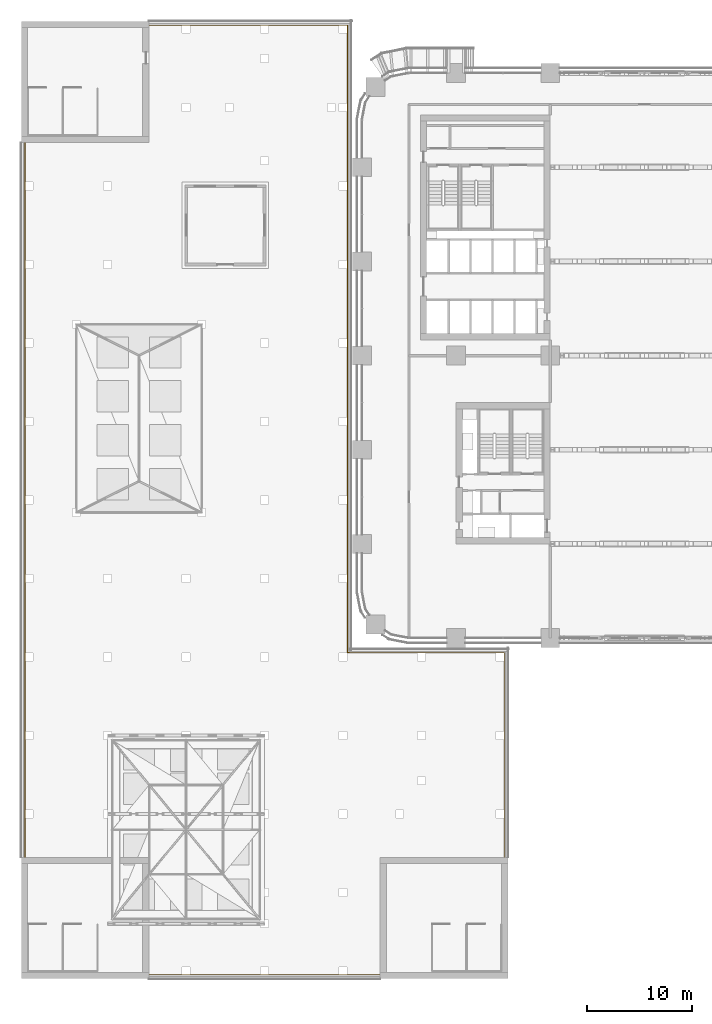
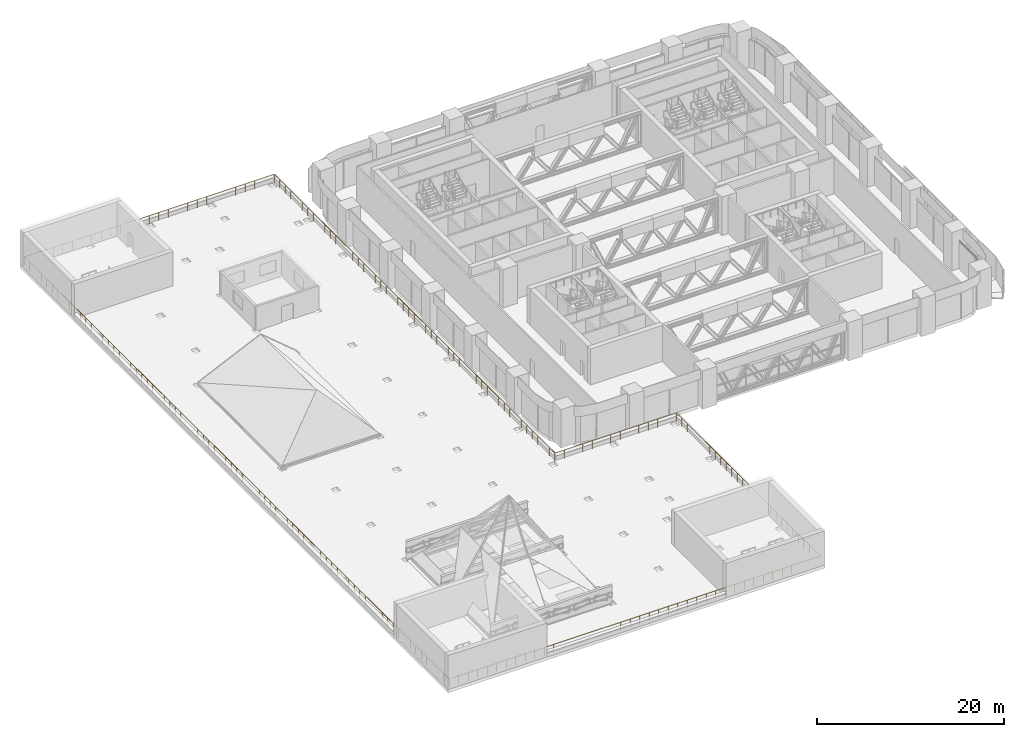
# One storey, part 29 of 35: 1 railing.
"""IFC4 building model written with IfcOpenShell, lengths in metres."""

import ifcopenshell
import ifcopenshell.guid

model = None  # the IFC model being written
_history = None  # IfcOwnerHistory: only IFC2X3 demands one
_inside = {}  # id of a spatial element -> (the spatial element, [elements in it])
_under = {}  # id of a project, library or spatial element -> (it, [spatial elements below it])
_declared = {}  # id of a project -> (the project, [libraries it declares])
_typed = {}  # id of a type object -> (the type object, [elements of that type])
_made_of = {}  # id of a material, layer set ... -> (it, [elements and type objects made of it])


def new_model(schema):
    """Start an empty IFC model of exactly this schema.

    Asked for "IFC4X3", IfcOpenShell would pick the latest addendum, in which some entities
    have other attributes; the version numbers below select the first issue.
    IFC2X3 requires an IfcOwnerHistory on every rooted entity: one is made here for all.
    """
    global model, _history
    if schema == "IFC4X3":
        model = ifcopenshell.file(schema_version=(4, 3, 0, 0))
    else:
        model = ifcopenshell.file(schema=schema)
    _inside.clear()
    _under.clear()
    _declared.clear()
    _typed.clear()
    _made_of.clear()
    _history = None
    if model.schema == "IFC2X3":
        org = make("IfcOrganization", Name="unknown")
        user = make(
            "IfcPersonAndOrganization",
            ThePerson=make("IfcPerson", FamilyName="unknown"),
            TheOrganization=org,
        )
        app = make(
            "IfcApplication",
            ApplicationDeveloper=org,
            Version="unknown",
            ApplicationFullName="unknown",
            ApplicationIdentifier="unknown",
        )
        _history = make(
            "IfcOwnerHistory",
            OwningUser=user,
            OwningApplication=app,
            ChangeAction="ADDED",
            CreationDate=0,
        )
    return model


def make(cls, **values):
    """One entity of the class cls with the attributes given. An attribute that is None is left unset."""
    return model.create_entity(
        cls, **{name: value for name, value in values.items() if value is not None}
    )


def rooted(cls, **values):
    """An entity with a GlobalId (a new one), such as an element, a storey or a relation."""
    return make(cls, GlobalId=ifcopenshell.guid.new(), OwnerHistory=_history, **values)


def si_unit(unit_type, name, prefix=None):
    """IfcSIUnit, for example si_unit("LENGTHUNIT", "METRE", prefix="MILLI")."""
    return make("IfcSIUnit", UnitType=unit_type, Prefix=prefix, Name=name)


def assignment(units):
    """IfcUnitAssignment: the units of a project."""
    return None if units is None else make("IfcUnitAssignment", Units=units)


def point(xyz):
    """IfcCartesianPoint."""
    return None if xyz is None else make("IfcCartesianPoint", Coordinates=xyz)


def direction(xyz):
    """IfcDirection."""
    return None if xyz is None else make("IfcDirection", DirectionRatios=xyz)


def frame(location, z_axis=None, x_axis=None):
    """IfcAxis2Placement3D, a coordinate frame: its origin and axes. An axis left out is left unset."""
    return make(
        "IfcAxis2Placement3D",
        Location=point(location),
        Axis=direction(z_axis),
        RefDirection=direction(x_axis),
    )


def frame_2d(location, x_axis=None):
    """IfcAxis2Placement2D, a coordinate frame in the plane: its origin and x axis."""
    return make(
        "IfcAxis2Placement2D", Location=point(location), RefDirection=direction(x_axis)
    )


def origin():
    """The frame at (0, 0, 0) with its axes left unset."""
    return frame((0.0, 0.0, 0.0))


def origin_2d():
    """The frame at (0, 0) in the plane with its x axis left unset."""
    return frame_2d((0.0, 0.0))


def place(relative_to, where):
    """IfcLocalPlacement: puts the frame where relative to a parent placement (None: the world)."""
    return make(
        "IfcLocalPlacement", PlacementRelTo=relative_to, RelativePlacement=where
    )


def context(
    kind, dimensions, precision=None, world=None, true_north=None, identifier=None
):
    """IfcGeometricRepresentationContext, for example the 3D "Model" context."""
    return make(
        "IfcGeometricRepresentationContext",
        ContextIdentifier=identifier,
        ContextType=kind,
        CoordinateSpaceDimension=dimensions,
        Precision=precision,
        WorldCoordinateSystem=world,
        TrueNorth=true_north,
    )


def subcontext(parent, identifier, kind, view, scale=None):
    """IfcGeometricRepresentationSubContext, for example "Body" below "Model"."""
    return make(
        "IfcGeometricRepresentationSubContext",
        ContextIdentifier=identifier,
        ContextType=kind,
        ParentContext=parent,
        TargetScale=scale,
        TargetView=view,
    )


def project(units=None, contexts=None):
    """IfcProject with its units and contexts."""
    return rooted(
        "IfcProject",
        Name="project",
        RepresentationContexts=contexts,
        UnitsInContext=assignment(units),
    )


def spatial(cls, under=None, at=None, **own):
    """A site, building, storey or space (cls), placed at a placement, below another one or the project."""
    s = rooted(cls, ObjectPlacement=at, **own)
    if under is not None:
        _under.setdefault(under.id(), (under, []))[1].append(s)
    return s


def profile(cls, at=None, kind="AREA", **sizes):
    """A parametric profile (cls). Its sizes go by their IFC names, for example OverallWidth=200.0."""
    return make(cls, ProfileType=kind, Position=at, **sizes)


def circle(**sizes):
    """IfcCircleProfileDef."""
    return profile("IfcCircleProfileDef", **sizes)


def extrude(swept, where, along, depth):
    """IfcExtrudedAreaSolid: the profile swept, set in the frame where, extruded along a direction by depth."""
    return make(
        "IfcExtrudedAreaSolid",
        SweptArea=swept,
        Position=where,
        ExtrudedDirection=direction(along),
        Depth=depth,
    )


def shape(context_of_items, identifier, shape_type, items):
    """IfcShapeRepresentation: the items that make up one representation, for example the "Body"."""
    return make(
        "IfcShapeRepresentation",
        ContextOfItems=context_of_items,
        RepresentationIdentifier=identifier,
        RepresentationType=shape_type,
        Items=items,
    )


def material(Name=None, Category=None):
    """IfcMaterial."""
    return make("IfcMaterial", Name=Name, Category=Category)


def made_of(thing, what):
    """Note that an element or type object is made of a material, layer set ...; save() writes the relation."""
    if what is not None:
        _made_of.setdefault(what.id(), (what, []))[1].append(thing)
    return thing


def type_object(cls, material=None, **own):
    """A type object (cls), such as IfcWallType, which elements share."""
    return made_of(rooted(cls, **own), material)


def element(
    cls,
    number,
    at=None,
    inside=None,
    cuts=None,
    type_object=None,
    material=None,
    context=None,
    identifier="Body",
    shape_type=None,
    held_by="IfcProductDefinitionShape",
    body=None,
    shapes=None,
    **own,
):
    """One element of the class cls, such as IfcWall. Its Tag is "e" and its number.

    at: its placement. inside: the storey or other place that contains it. cuts: it is an
    opening in that element (IfcRelVoidsElement). A single representation is given by context,
    identifier, shape_type and body (its items); several are given by shapes. held_by: the class
    of the entity that holds the representations. save() writes the other relations.
    """
    e = rooted(cls, Tag="e%d" % number, ObjectPlacement=at, **own)
    if body is not None:
        shapes = [shape(context, identifier, shape_type, body)]
    if shapes is not None:
        e.Representation = make(held_by, Representations=shapes)
    if inside is not None:
        _inside.setdefault(inside.id(), (inside, []))[1].append(e)
    if cuts is not None:
        rooted(
            "IfcRelVoidsElement", RelatingBuildingElement=cuts, RelatedOpeningElement=e
        )
    if type_object is not None:
        _typed.setdefault(type_object.id(), (type_object, []))[1].append(e)
    return made_of(e, material)


def aggregate(whole, parts):
    """IfcRelAggregates: a whole, such as a stair, and the parts it consists of."""
    return rooted("IfcRelAggregates", RelatingObject=whole, RelatedObjects=parts)


def save(model, path):
    """Write the relations noted so far, then the file.

    IfcRelAggregates (storeys below a building ...), IfcRelContainedInSpatialStructure (elements
    in a storey), IfcRelDefinesByType, IfcRelAssociatesMaterial and IfcRelDeclares: one each for
    every whole, place, type object, material and project.
    """
    for whole, parts in _under.values():
        aggregate(whole, parts)
    for where, things in _inside.values():
        rooted(
            "IfcRelContainedInSpatialStructure",
            RelatedElements=things,
            RelatingStructure=where,
        )
    for kind, things in _typed.values():
        rooted("IfcRelDefinesByType", RelatedObjects=things, RelatingType=kind)
    for what, things in _made_of.values():
        rooted("IfcRelAssociatesMaterial", RelatedObjects=things, RelatingMaterial=what)
    for by, libraries in _declared.values():
        rooted("IfcRelDeclares", RelatingContext=by, RelatedDefinitions=libraries)
    model.write(path)


model = new_model("IFC4")

# Units and contexts
model_context = context("Model", 3, precision=1e-05, world=origin(), true_north=direction((0.0, 1.0)))
body_context = subcontext(model_context, "Body", "Model", "MODEL_VIEW")
ifc_project = project(units=[si_unit("LENGTHUNIT", "METRE"), si_unit("AREAUNIT", "SQUARE_METRE"), si_unit("VOLUMEUNIT", "CUBIC_METRE"), si_unit("PLANEANGLEUNIT", "RADIAN"), si_unit("MASSUNIT", "GRAM", prefix="KILO")], contexts=[model_context])

# Site, building, storey
site_placement = place(None, origin())
site = spatial("IfcSite", under=ifc_project, at=site_placement, CompositionType="ELEMENT")
building_placement = place(site_placement, origin())
building = spatial("IfcBuilding", under=site, at=building_placement, Name="Tessera Arch", CompositionType="ELEMENT")
storey_placement = place(building_placement, frame((0.0, 0.0, 26.0)))
storey = spatial("IfcBuildingStorey", under=building, at=storey_placement, Name="L04", CompositionType="ELEMENT", Elevation=26.0)

# Railing
ifc_material = material(Name="Stainless steel and clear glass", Category="steel")
railing_type = type_object("IfcRailingType", Name="Museum roof guard 1100", PredefinedType="GUARDRAIL", material=ifc_material)
railing_placement = place(storey_placement, frame((-32.2099609375, -32.2099609375, 0.0)))
element("IfcRailing", 1, at=railing_placement, inside=storey, type_object=railing_type, Name="Museum roof terrace guard", PredefinedType="GUARDRAIL", context=body_context, shape_type="SweptSolid", body=[
    extrude(circle(Radius=0.02490234375, at=origin_2d()), frame((-0.00390625, 0.0, 1.0751953125), z_axis=(1.0, 0.0, 0.0), x_axis=(0.0, 1.0, 0.0)), (0.0, 0.0, 1.0), 45.828125),
    extrude(circle(Radius=0.02490234375, at=origin_2d()), frame((45.820068359375, -0.00390625, 1.0751953125), z_axis=(0.0, 1.0, 0.0), x_axis=(-1.0, 0.0, 0.0)), (0.0, 0.0, 1.0), 30.828125),
    extrude(circle(Radius=0.02490234375, at=origin_2d()), frame((45.823974609375, 30.820068359375, 1.0751953125), z_axis=(-1.0, 0.0, 0.0), x_axis=(0.0, -1.0, 0.0)), (0.0, 0.0, 1.0), 15.008056640625),
    extrude(circle(Radius=0.02490234375, at=origin_2d()), frame((30.820068359375, 30.816162109375, 1.0751953125), z_axis=(0.0, 1.0, 0.0), x_axis=(-1.0, 0.0, 0.0)), (0.0, 0.0, 1.0), 60.008056640625),
    extrude(circle(Radius=0.02490234375, at=origin_2d()), frame((30.823974609375, 90.820068359375, 1.0751953125), z_axis=(-1.0, 0.0, 0.0), x_axis=(0.0, -1.0, 0.0)), (0.0, 0.0, 1.0), 30.828125),
    extrude(circle(Radius=0.02490234375, at=origin_2d()), frame((0.0, 90.823974609375, 1.0751953125), z_axis=(0.0, -1.0, 0.0), x_axis=(1.0, 0.0, 0.0)), (0.0, 0.0, 1.0), 90.828125),
    extrude(circle(Radius=0.02001953125, at=origin_2d()), origin(), (0.0, 0.0, 1.0), 1.06201171875),
    extrude(circle(Radius=0.02001953125, at=origin_2d()), frame((1.1748046875, 0.0, 0.0)), (0.0, 0.0, 1.0), 1.06201171875),
    extrude(circle(Radius=0.02001953125, at=origin_2d()), frame((2.349853515625, 0.0, 0.0)), (0.0, 0.0, 1.0), 1.06201171875),
    extrude(circle(Radius=0.02001953125, at=origin_2d()), frame((3.524658203125, 0.0, 0.0)), (0.0, 0.0, 1.0), 1.06201171875),
    extrude(circle(Radius=0.02001953125, at=origin_2d()), frame((4.699462890625, 0.0, 0.0)), (0.0, 0.0, 1.0), 1.06201171875),
    extrude(circle(Radius=0.02001953125, at=origin_2d()), frame((5.874267578125, 0.0, 0.0)), (0.0, 0.0, 1.0), 1.06201171875),
    extrude(circle(Radius=0.02001953125, at=origin_2d()), frame((7.04931640625, 0.0, 0.0)), (0.0, 0.0, 1.0), 1.06201171875),
    extrude(circle(Radius=0.02001953125, at=origin_2d()), frame((8.22412109375, 0.0, 0.0)), (0.0, 0.0, 1.0), 1.06201171875),
    extrude(circle(Radius=0.02001953125, at=origin_2d()), frame((9.39892578125, 0.0, 0.0)), (0.0, 0.0, 1.0), 1.06201171875),
    extrude(circle(Radius=0.02001953125, at=origin_2d()), frame((10.573974609375, 0.0, 0.0)), (0.0, 0.0, 1.0), 1.06201171875),
    extrude(circle(Radius=0.02001953125, at=origin_2d()), frame((11.748779296875, 0.0, 0.0)), (0.0, 0.0, 1.0), 1.06201171875),
    extrude(circle(Radius=0.02001953125, at=origin_2d()), frame((12.923583984375, 0.0, 0.0)), (0.0, 0.0, 1.0), 1.06201171875),
    extrude(circle(Radius=0.02001953125, at=origin_2d()), frame((14.098388671875, 0.0, 0.0)), (0.0, 0.0, 1.0), 1.06201171875),
    extrude(circle(Radius=0.02001953125, at=origin_2d()), frame((15.2734375, 0.0, 0.0)), (0.0, 0.0, 1.0), 1.06201171875),
    extrude(circle(Radius=0.02001953125, at=origin_2d()), frame((16.4482421875, 0.0, 0.0)), (0.0, 0.0, 1.0), 1.06201171875),
    extrude(circle(Radius=0.02001953125, at=origin_2d()), frame((17.623046875, 0.0, 0.0)), (0.0, 0.0, 1.0), 1.06201171875),
    extrude(circle(Radius=0.02001953125, at=origin_2d()), frame((18.798095703125, 0.0, 0.0)), (0.0, 0.0, 1.0), 1.06201171875),
    extrude(circle(Radius=0.02001953125, at=origin_2d()), frame((19.972900390625, 0.0, 0.0)), (0.0, 0.0, 1.0), 1.06201171875),
    extrude(circle(Radius=0.02001953125, at=origin_2d()), frame((21.147705078125, 0.0, 0.0)), (0.0, 0.0, 1.0), 1.06201171875),
    extrude(circle(Radius=0.02001953125, at=origin_2d()), frame((22.322509765625, 0.0, 0.0)), (0.0, 0.0, 1.0), 1.06201171875),
    extrude(circle(Radius=0.02001953125, at=origin_2d()), frame((23.49755859375, 0.0, 0.0)), (0.0, 0.0, 1.0), 1.06201171875),
    extrude(circle(Radius=0.02001953125, at=origin_2d()), frame((24.67236328125, 0.0, 0.0)), (0.0, 0.0, 1.0), 1.06201171875),
    extrude(circle(Radius=0.02001953125, at=origin_2d()), frame((25.84716796875, 0.0, 0.0)), (0.0, 0.0, 1.0), 1.06201171875),
    extrude(circle(Radius=0.02001953125, at=origin_2d()), frame((27.02197265625, 0.0, 0.0)), (0.0, 0.0, 1.0), 1.06201171875),
    extrude(circle(Radius=0.02001953125, at=origin_2d()), frame((28.197021484375, 0.0, 0.0)), (0.0, 0.0, 1.0), 1.06201171875),
    extrude(circle(Radius=0.02001953125, at=origin_2d()), frame((29.371826171875, 0.0, 0.0)), (0.0, 0.0, 1.0), 1.06201171875),
    extrude(circle(Radius=0.02001953125, at=origin_2d()), frame((30.546630859375, 0.0, 0.0)), (0.0, 0.0, 1.0), 1.06201171875),
    extrude(circle(Radius=0.02001953125, at=origin_2d()), frame((31.7216796875, 0.0, 0.0)), (0.0, 0.0, 1.0), 1.06201171875),
    extrude(circle(Radius=0.02001953125, at=origin_2d()), frame((32.896484375, 0.0, 0.0)), (0.0, 0.0, 1.0), 1.06201171875),
    extrude(circle(Radius=0.02001953125, at=origin_2d()), frame((34.0712890625, 0.0, 0.0)), (0.0, 0.0, 1.0), 1.06201171875),
    extrude(circle(Radius=0.02001953125, at=origin_2d()), frame((35.24609375, 0.0, 0.0)), (0.0, 0.0, 1.0), 1.06201171875),
    extrude(circle(Radius=0.02001953125, at=origin_2d()), frame((36.421142578125, 0.0, 0.0)), (0.0, 0.0, 1.0), 1.06201171875),
    extrude(circle(Radius=0.02001953125, at=origin_2d()), frame((37.595947265625, 0.0, 0.0)), (0.0, 0.0, 1.0), 1.06201171875),
    extrude(circle(Radius=0.02001953125, at=origin_2d()), frame((38.770751953125, 0.0, 0.0)), (0.0, 0.0, 1.0), 1.06201171875),
    extrude(circle(Radius=0.02001953125, at=origin_2d()), frame((39.94580078125, 0.0, 0.0)), (0.0, 0.0, 1.0), 1.06201171875),
    extrude(circle(Radius=0.02001953125, at=origin_2d()), frame((41.12060546875, 0.0, 0.0)), (0.0, 0.0, 1.0), 1.06201171875),
    extrude(circle(Radius=0.02001953125, at=origin_2d()), frame((42.29541015625, 0.0, 0.0)), (0.0, 0.0, 1.0), 1.06201171875),
    extrude(circle(Radius=0.02001953125, at=origin_2d()), frame((43.47021484375, 0.0, 0.0)), (0.0, 0.0, 1.0), 1.06201171875),
    extrude(circle(Radius=0.02001953125, at=origin_2d()), frame((44.645263671875, 0.0, 0.0)), (0.0, 0.0, 1.0), 1.06201171875),
    extrude(circle(Radius=0.02001953125, at=origin_2d()), frame((45.820068359375, 0.0, 0.0)), (0.0, 0.0, 1.0), 1.06201171875),
    extrude(circle(Radius=0.02001953125, at=origin_2d()), frame((45.820068359375, 1.185302734375, 0.0)), (0.0, 0.0, 1.0), 1.06201171875),
    extrude(circle(Radius=0.02001953125, at=origin_2d()), frame((45.820068359375, 2.370849609375, 0.0)), (0.0, 0.0, 1.0), 1.06201171875),
    extrude(circle(Radius=0.02001953125, at=origin_2d()), frame((45.820068359375, 3.55615234375, 0.0)), (0.0, 0.0, 1.0), 1.06201171875),
    extrude(circle(Radius=0.02001953125, at=origin_2d()), frame((45.820068359375, 4.741455078125, 0.0)), (0.0, 0.0, 1.0), 1.06201171875),
    extrude(circle(Radius=0.02001953125, at=origin_2d()), frame((45.820068359375, 5.927001953125, 0.0)), (0.0, 0.0, 1.0), 1.06201171875),
    extrude(circle(Radius=0.02001953125, at=origin_2d()), frame((45.820068359375, 7.1123046875, 0.0)), (0.0, 0.0, 1.0), 1.06201171875),
    extrude(circle(Radius=0.02001953125, at=origin_2d()), frame((45.820068359375, 8.297607421875, 0.0)), (0.0, 0.0, 1.0), 1.06201171875),
    extrude(circle(Radius=0.02001953125, at=origin_2d()), frame((45.820068359375, 9.483154296875, 0.0)), (0.0, 0.0, 1.0), 1.06201171875),
    extrude(circle(Radius=0.02001953125, at=origin_2d()), frame((45.820068359375, 10.66845703125, 0.0)), (0.0, 0.0, 1.0), 1.06201171875),
    extrude(circle(Radius=0.02001953125, at=origin_2d()), frame((45.820068359375, 11.853759765625, 0.0)), (0.0, 0.0, 1.0), 1.06201171875),
    extrude(circle(Radius=0.02001953125, at=origin_2d()), frame((45.820068359375, 13.039306640625, 0.0)), (0.0, 0.0, 1.0), 1.06201171875),
    extrude(circle(Radius=0.02001953125, at=origin_2d()), frame((45.820068359375, 14.224609375, 0.0)), (0.0, 0.0, 1.0), 1.06201171875),
    extrude(circle(Radius=0.02001953125, at=origin_2d()), frame((45.820068359375, 15.41015625, 0.0)), (0.0, 0.0, 1.0), 1.06201171875),
    extrude(circle(Radius=0.02001953125, at=origin_2d()), frame((45.820068359375, 16.595458984375, 0.0)), (0.0, 0.0, 1.0), 1.06201171875),
    extrude(circle(Radius=0.02001953125, at=origin_2d()), frame((45.820068359375, 17.78076171875, 0.0)), (0.0, 0.0, 1.0), 1.06201171875),
    extrude(circle(Radius=0.02001953125, at=origin_2d()), frame((45.820068359375, 18.96630859375, 0.0)), (0.0, 0.0, 1.0), 1.06201171875),
    extrude(circle(Radius=0.02001953125, at=origin_2d()), frame((45.820068359375, 20.151611328125, 0.0)), (0.0, 0.0, 1.0), 1.06201171875),
    extrude(circle(Radius=0.02001953125, at=origin_2d()), frame((45.820068359375, 21.3369140625, 0.0)), (0.0, 0.0, 1.0), 1.06201171875),
    extrude(circle(Radius=0.02001953125, at=origin_2d()), frame((45.820068359375, 22.5224609375, 0.0)), (0.0, 0.0, 1.0), 1.06201171875),
    extrude(circle(Radius=0.02001953125, at=origin_2d()), frame((45.820068359375, 23.707763671875, 0.0)), (0.0, 0.0, 1.0), 1.06201171875),
    extrude(circle(Radius=0.02001953125, at=origin_2d()), frame((45.820068359375, 24.89306640625, 0.0)), (0.0, 0.0, 1.0), 1.06201171875),
    extrude(circle(Radius=0.02001953125, at=origin_2d()), frame((45.820068359375, 26.07861328125, 0.0)), (0.0, 0.0, 1.0), 1.06201171875),
    extrude(circle(Radius=0.02001953125, at=origin_2d()), frame((45.820068359375, 27.263916015625, 0.0)), (0.0, 0.0, 1.0), 1.06201171875),
    extrude(circle(Radius=0.02001953125, at=origin_2d()), frame((45.820068359375, 28.44921875, 0.0)), (0.0, 0.0, 1.0), 1.06201171875),
    extrude(circle(Radius=0.02001953125, at=origin_2d()), frame((45.820068359375, 29.634765625, 0.0)), (0.0, 0.0, 1.0), 1.06201171875),
    extrude(circle(Radius=0.02001953125, at=origin_2d()), frame((45.820068359375, 30.820068359375, 0.0)), (0.0, 0.0, 1.0), 1.06201171875),
    extrude(circle(Radius=0.02001953125, at=origin_2d()), frame((44.666259765625, 30.820068359375, 0.0)), (0.0, 0.0, 1.0), 1.06201171875),
    extrude(circle(Radius=0.02001953125, at=origin_2d()), frame((43.512451171875, 30.820068359375, 0.0)), (0.0, 0.0, 1.0), 1.06201171875),
    extrude(circle(Radius=0.02001953125, at=origin_2d()), frame((42.358642578125, 30.820068359375, 0.0)), (0.0, 0.0, 1.0), 1.06201171875),
    extrude(circle(Radius=0.02001953125, at=origin_2d()), frame((41.20458984375, 30.820068359375, 0.0)), (0.0, 0.0, 1.0), 1.06201171875),
    extrude(circle(Radius=0.02001953125, at=origin_2d()), frame((40.05078125, 30.820068359375, 0.0)), (0.0, 0.0, 1.0), 1.06201171875),
    extrude(circle(Radius=0.02001953125, at=origin_2d()), frame((38.89697265625, 30.820068359375, 0.0)), (0.0, 0.0, 1.0), 1.06201171875),
    extrude(circle(Radius=0.02001953125, at=origin_2d()), frame((37.7431640625, 30.820068359375, 0.0)), (0.0, 0.0, 1.0), 1.06201171875),
    extrude(circle(Radius=0.02001953125, at=origin_2d()), frame((36.58935546875, 30.820068359375, 0.0)), (0.0, 0.0, 1.0), 1.06201171875),
    extrude(circle(Radius=0.02001953125, at=origin_2d()), frame((35.435546875, 30.820068359375, 0.0)), (0.0, 0.0, 1.0), 1.06201171875),
    extrude(circle(Radius=0.02001953125, at=origin_2d()), frame((34.281494140625, 30.820068359375, 0.0)), (0.0, 0.0, 1.0), 1.06201171875),
    extrude(circle(Radius=0.02001953125, at=origin_2d()), frame((33.127685546875, 30.820068359375, 0.0)), (0.0, 0.0, 1.0), 1.06201171875),
    extrude(circle(Radius=0.02001953125, at=origin_2d()), frame((31.973876953125, 30.820068359375, 0.0)), (0.0, 0.0, 1.0), 1.06201171875),
    extrude(circle(Radius=0.02001953125, at=origin_2d()), frame((30.820068359375, 30.820068359375, 0.0)), (0.0, 0.0, 1.0), 1.06201171875),
    extrude(circle(Radius=0.02001953125, at=origin_2d()), frame((30.820068359375, 32.02001953125, 0.0)), (0.0, 0.0, 1.0), 1.06201171875),
    extrude(circle(Radius=0.02001953125, at=origin_2d()), frame((30.820068359375, 33.219970703125, 0.0)), (0.0, 0.0, 1.0), 1.06201171875),
    extrude(circle(Radius=0.02001953125, at=origin_2d()), frame((30.820068359375, 34.420166015625, 0.0)), (0.0, 0.0, 1.0), 1.06201171875),
    extrude(circle(Radius=0.02001953125, at=origin_2d()), frame((30.820068359375, 35.6201171875, 0.0)), (0.0, 0.0, 1.0), 1.06201171875),
    extrude(circle(Radius=0.02001953125, at=origin_2d()), frame((30.820068359375, 36.820068359375, 0.0)), (0.0, 0.0, 1.0), 1.06201171875),
    extrude(circle(Radius=0.02001953125, at=origin_2d()), frame((30.820068359375, 38.02001953125, 0.0)), (0.0, 0.0, 1.0), 1.06201171875),
    extrude(circle(Radius=0.02001953125, at=origin_2d()), frame((30.820068359375, 39.219970703125, 0.0)), (0.0, 0.0, 1.0), 1.06201171875),
    extrude(circle(Radius=0.02001953125, at=origin_2d()), frame((30.820068359375, 40.420166015625, 0.0)), (0.0, 0.0, 1.0), 1.06201171875),
    extrude(circle(Radius=0.02001953125, at=origin_2d()), frame((30.820068359375, 41.6201171875, 0.0)), (0.0, 0.0, 1.0), 1.06201171875),
    extrude(circle(Radius=0.02001953125, at=origin_2d()), frame((30.820068359375, 42.820068359375, 0.0)), (0.0, 0.0, 1.0), 1.06201171875),
    extrude(circle(Radius=0.02001953125, at=origin_2d()), frame((30.820068359375, 44.02001953125, 0.0)), (0.0, 0.0, 1.0), 1.06201171875),
    extrude(circle(Radius=0.02001953125, at=origin_2d()), frame((30.820068359375, 45.219970703125, 0.0)), (0.0, 0.0, 1.0), 1.06201171875),
    extrude(circle(Radius=0.02001953125, at=origin_2d()), frame((30.820068359375, 46.420166015625, 0.0)), (0.0, 0.0, 1.0), 1.06201171875),
    extrude(circle(Radius=0.02001953125, at=origin_2d()), frame((30.820068359375, 47.6201171875, 0.0)), (0.0, 0.0, 1.0), 1.06201171875),
    extrude(circle(Radius=0.02001953125, at=origin_2d()), frame((30.820068359375, 48.820068359375, 0.0)), (0.0, 0.0, 1.0), 1.06201171875),
    extrude(circle(Radius=0.02001953125, at=origin_2d()), frame((30.820068359375, 50.02001953125, 0.0)), (0.0, 0.0, 1.0), 1.06201171875),
    extrude(circle(Radius=0.02001953125, at=origin_2d()), frame((30.820068359375, 51.219970703125, 0.0)), (0.0, 0.0, 1.0), 1.06201171875),
    extrude(circle(Radius=0.02001953125, at=origin_2d()), frame((30.820068359375, 52.420166015625, 0.0)), (0.0, 0.0, 1.0), 1.06201171875),
    extrude(circle(Radius=0.02001953125, at=origin_2d()), frame((30.820068359375, 53.6201171875, 0.0)), (0.0, 0.0, 1.0), 1.06201171875),
    extrude(circle(Radius=0.02001953125, at=origin_2d()), frame((30.820068359375, 54.820068359375, 0.0)), (0.0, 0.0, 1.0), 1.06201171875),
    extrude(circle(Radius=0.02001953125, at=origin_2d()), frame((30.820068359375, 56.02001953125, 0.0)), (0.0, 0.0, 1.0), 1.06201171875),
    extrude(circle(Radius=0.02001953125, at=origin_2d()), frame((30.820068359375, 57.219970703125, 0.0)), (0.0, 0.0, 1.0), 1.06201171875),
    extrude(circle(Radius=0.02001953125, at=origin_2d()), frame((30.820068359375, 58.420166015625, 0.0)), (0.0, 0.0, 1.0), 1.06201171875),
    extrude(circle(Radius=0.02001953125, at=origin_2d()), frame((30.820068359375, 59.6201171875, 0.0)), (0.0, 0.0, 1.0), 1.06201171875),
    extrude(circle(Radius=0.02001953125, at=origin_2d()), frame((30.820068359375, 60.820068359375, 0.0)), (0.0, 0.0, 1.0), 1.06201171875),
    extrude(circle(Radius=0.02001953125, at=origin_2d()), frame((30.820068359375, 62.02001953125, 0.0)), (0.0, 0.0, 1.0), 1.06201171875),
    extrude(circle(Radius=0.02001953125, at=origin_2d()), frame((30.820068359375, 63.219970703125, 0.0)), (0.0, 0.0, 1.0), 1.06201171875),
    extrude(circle(Radius=0.02001953125, at=origin_2d()), frame((30.820068359375, 64.420166015625, 0.0)), (0.0, 0.0, 1.0), 1.06201171875),
    extrude(circle(Radius=0.02001953125, at=origin_2d()), frame((30.820068359375, 65.6201171875, 0.0)), (0.0, 0.0, 1.0), 1.06201171875),
    extrude(circle(Radius=0.02001953125, at=origin_2d()), frame((30.820068359375, 66.820068359375, 0.0)), (0.0, 0.0, 1.0), 1.06201171875),
    extrude(circle(Radius=0.02001953125, at=origin_2d()), frame((30.820068359375, 68.02001953125, 0.0)), (0.0, 0.0, 1.0), 1.06201171875),
    extrude(circle(Radius=0.02001953125, at=origin_2d()), frame((30.820068359375, 69.219970703125, 0.0)), (0.0, 0.0, 1.0), 1.06201171875),
    extrude(circle(Radius=0.02001953125, at=origin_2d()), frame((30.820068359375, 70.420166015625, 0.0)), (0.0, 0.0, 1.0), 1.06201171875),
    extrude(circle(Radius=0.02001953125, at=origin_2d()), frame((30.820068359375, 71.6201171875, 0.0)), (0.0, 0.0, 1.0), 1.06201171875),
    extrude(circle(Radius=0.02001953125, at=origin_2d()), frame((30.820068359375, 72.820068359375, 0.0)), (0.0, 0.0, 1.0), 1.06201171875),
    extrude(circle(Radius=0.02001953125, at=origin_2d()), frame((30.820068359375, 74.02001953125, 0.0)), (0.0, 0.0, 1.0), 1.06201171875),
    extrude(circle(Radius=0.02001953125, at=origin_2d()), frame((30.820068359375, 75.219970703125, 0.0)), (0.0, 0.0, 1.0), 1.06201171875),
    extrude(circle(Radius=0.02001953125, at=origin_2d()), frame((30.820068359375, 76.420166015625, 0.0)), (0.0, 0.0, 1.0), 1.06201171875),
    extrude(circle(Radius=0.02001953125, at=origin_2d()), frame((30.820068359375, 77.6201171875, 0.0)), (0.0, 0.0, 1.0), 1.06201171875),
    extrude(circle(Radius=0.02001953125, at=origin_2d()), frame((30.820068359375, 78.820068359375, 0.0)), (0.0, 0.0, 1.0), 1.06201171875),
    extrude(circle(Radius=0.02001953125, at=origin_2d()), frame((30.820068359375, 80.02001953125, 0.0)), (0.0, 0.0, 1.0), 1.06201171875),
    extrude(circle(Radius=0.02001953125, at=origin_2d()), frame((30.820068359375, 81.219970703125, 0.0)), (0.0, 0.0, 1.0), 1.06201171875),
    extrude(circle(Radius=0.02001953125, at=origin_2d()), frame((30.820068359375, 82.420166015625, 0.0)), (0.0, 0.0, 1.0), 1.06201171875),
    extrude(circle(Radius=0.02001953125, at=origin_2d()), frame((30.820068359375, 83.6201171875, 0.0)), (0.0, 0.0, 1.0), 1.06201171875),
    extrude(circle(Radius=0.02001953125, at=origin_2d()), frame((30.820068359375, 84.820068359375, 0.0)), (0.0, 0.0, 1.0), 1.06201171875),
    extrude(circle(Radius=0.02001953125, at=origin_2d()), frame((30.820068359375, 86.02001953125, 0.0)), (0.0, 0.0, 1.0), 1.06201171875),
    extrude(circle(Radius=0.02001953125, at=origin_2d()), frame((30.820068359375, 87.219970703125, 0.0)), (0.0, 0.0, 1.0), 1.06201171875),
    extrude(circle(Radius=0.02001953125, at=origin_2d()), frame((30.820068359375, 88.420166015625, 0.0)), (0.0, 0.0, 1.0), 1.06201171875),
    extrude(circle(Radius=0.02001953125, at=origin_2d()), frame((30.820068359375, 89.6201171875, 0.0)), (0.0, 0.0, 1.0), 1.06201171875),
    extrude(circle(Radius=0.02001953125, at=origin_2d()), frame((30.820068359375, 90.820068359375, 0.0)), (0.0, 0.0, 1.0), 1.06201171875),
    extrude(circle(Radius=0.02001953125, at=origin_2d()), frame((29.634765625, 90.820068359375, 0.0)), (0.0, 0.0, 1.0), 1.06201171875),
    extrude(circle(Radius=0.02001953125, at=origin_2d()), frame((28.44921875, 90.820068359375, 0.0)), (0.0, 0.0, 1.0), 1.06201171875),
    extrude(circle(Radius=0.02001953125, at=origin_2d()), frame((27.263916015625, 90.820068359375, 0.0)), (0.0, 0.0, 1.0), 1.06201171875),
    extrude(circle(Radius=0.02001953125, at=origin_2d()), frame((26.07861328125, 90.820068359375, 0.0)), (0.0, 0.0, 1.0), 1.06201171875),
    extrude(circle(Radius=0.02001953125, at=origin_2d()), frame((24.89306640625, 90.820068359375, 0.0)), (0.0, 0.0, 1.0), 1.06201171875),
    extrude(circle(Radius=0.02001953125, at=origin_2d()), frame((23.707763671875, 90.820068359375, 0.0)), (0.0, 0.0, 1.0), 1.06201171875),
    extrude(circle(Radius=0.02001953125, at=origin_2d()), frame((22.5224609375, 90.820068359375, 0.0)), (0.0, 0.0, 1.0), 1.06201171875),
    extrude(circle(Radius=0.02001953125, at=origin_2d()), frame((21.3369140625, 90.820068359375, 0.0)), (0.0, 0.0, 1.0), 1.06201171875),
    extrude(circle(Radius=0.02001953125, at=origin_2d()), frame((20.151611328125, 90.820068359375, 0.0)), (0.0, 0.0, 1.0), 1.06201171875),
    extrude(circle(Radius=0.02001953125, at=origin_2d()), frame((18.96630859375, 90.820068359375, 0.0)), (0.0, 0.0, 1.0), 1.06201171875),
    extrude(circle(Radius=0.02001953125, at=origin_2d()), frame((17.78076171875, 90.820068359375, 0.0)), (0.0, 0.0, 1.0), 1.06201171875),
    extrude(circle(Radius=0.02001953125, at=origin_2d()), frame((16.595458984375, 90.820068359375, 0.0)), (0.0, 0.0, 1.0), 1.06201171875),
    extrude(circle(Radius=0.02001953125, at=origin_2d()), frame((15.41015625, 90.820068359375, 0.0)), (0.0, 0.0, 1.0), 1.06201171875),
    extrude(circle(Radius=0.02001953125, at=origin_2d()), frame((14.224609375, 90.820068359375, 0.0)), (0.0, 0.0, 1.0), 1.06201171875),
    extrude(circle(Radius=0.02001953125, at=origin_2d()), frame((13.039306640625, 90.820068359375, 0.0)), (0.0, 0.0, 1.0), 1.06201171875),
    extrude(circle(Radius=0.02001953125, at=origin_2d()), frame((11.853759765625, 90.820068359375, 0.0)), (0.0, 0.0, 1.0), 1.06201171875),
    extrude(circle(Radius=0.02001953125, at=origin_2d()), frame((10.66845703125, 90.820068359375, 0.0)), (0.0, 0.0, 1.0), 1.06201171875),
    extrude(circle(Radius=0.02001953125, at=origin_2d()), frame((9.483154296875, 90.820068359375, 0.0)), (0.0, 0.0, 1.0), 1.06201171875),
    extrude(circle(Radius=0.02001953125, at=origin_2d()), frame((8.297607421875, 90.820068359375, 0.0)), (0.0, 0.0, 1.0), 1.06201171875),
    extrude(circle(Radius=0.02001953125, at=origin_2d()), frame((7.1123046875, 90.820068359375, 0.0)), (0.0, 0.0, 1.0), 1.06201171875),
    extrude(circle(Radius=0.02001953125, at=origin_2d()), frame((5.927001953125, 90.820068359375, 0.0)), (0.0, 0.0, 1.0), 1.06201171875),
    extrude(circle(Radius=0.02001953125, at=origin_2d()), frame((4.741455078125, 90.820068359375, 0.0)), (0.0, 0.0, 1.0), 1.06201171875),
    extrude(circle(Radius=0.02001953125, at=origin_2d()), frame((3.55615234375, 90.820068359375, 0.0)), (0.0, 0.0, 1.0), 1.06201171875),
    extrude(circle(Radius=0.02001953125, at=origin_2d()), frame((2.370849609375, 90.820068359375, 0.0)), (0.0, 0.0, 1.0), 1.06201171875),
    extrude(circle(Radius=0.02001953125, at=origin_2d()), frame((1.185302734375, 90.820068359375, 0.0)), (0.0, 0.0, 1.0), 1.06201171875),
    extrude(circle(Radius=0.02001953125, at=origin_2d()), frame((0.0, 90.820068359375, 0.0)), (0.0, 0.0, 1.0), 1.06201171875),
    extrude(circle(Radius=0.02001953125, at=origin_2d()), frame((0.0, 89.625, 0.0)), (0.0, 0.0, 1.0), 1.06201171875),
    extrude(circle(Radius=0.02001953125, at=origin_2d()), frame((0.0, 88.43017578125, 0.0)), (0.0, 0.0, 1.0), 1.06201171875),
    extrude(circle(Radius=0.02001953125, at=origin_2d()), frame((0.0, 87.235107421875, 0.0)), (0.0, 0.0, 1.0), 1.06201171875),
    extrude(circle(Radius=0.02001953125, at=origin_2d()), frame((0.0, 86.0400390625, 0.0)), (0.0, 0.0, 1.0), 1.06201171875),
    extrude(circle(Radius=0.02001953125, at=origin_2d()), frame((0.0, 84.844970703125, 0.0)), (0.0, 0.0, 1.0), 1.06201171875),
    extrude(circle(Radius=0.02001953125, at=origin_2d()), frame((0.0, 83.650146484375, 0.0)), (0.0, 0.0, 1.0), 1.06201171875),
    extrude(circle(Radius=0.02001953125, at=origin_2d()), frame((0.0, 82.455078125, 0.0)), (0.0, 0.0, 1.0), 1.06201171875),
    extrude(circle(Radius=0.02001953125, at=origin_2d()), frame((0.0, 81.260009765625, 0.0)), (0.0, 0.0, 1.0), 1.06201171875),
    extrude(circle(Radius=0.02001953125, at=origin_2d()), frame((0.0, 80.06494140625, 0.0)), (0.0, 0.0, 1.0), 1.06201171875),
    extrude(circle(Radius=0.02001953125, at=origin_2d()), frame((0.0, 78.8701171875, 0.0)), (0.0, 0.0, 1.0), 1.06201171875),
    extrude(circle(Radius=0.02001953125, at=origin_2d()), frame((0.0, 77.675048828125, 0.0)), (0.0, 0.0, 1.0), 1.06201171875),
    extrude(circle(Radius=0.02001953125, at=origin_2d()), frame((0.0, 76.47998046875, 0.0)), (0.0, 0.0, 1.0), 1.06201171875),
    extrude(circle(Radius=0.02001953125, at=origin_2d()), frame((0.0, 75.28515625, 0.0)), (0.0, 0.0, 1.0), 1.06201171875),
    extrude(circle(Radius=0.02001953125, at=origin_2d()), frame((0.0, 74.090087890625, 0.0)), (0.0, 0.0, 1.0), 1.06201171875),
    extrude(circle(Radius=0.02001953125, at=origin_2d()), frame((0.0, 72.89501953125, 0.0)), (0.0, 0.0, 1.0), 1.06201171875),
    extrude(circle(Radius=0.02001953125, at=origin_2d()), frame((0.0, 71.699951171875, 0.0)), (0.0, 0.0, 1.0), 1.06201171875),
    extrude(circle(Radius=0.02001953125, at=origin_2d()), frame((0.0, 70.505126953125, 0.0)), (0.0, 0.0, 1.0), 1.06201171875),
    extrude(circle(Radius=0.02001953125, at=origin_2d()), frame((0.0, 69.31005859375, 0.0)), (0.0, 0.0, 1.0), 1.06201171875),
    extrude(circle(Radius=0.02001953125, at=origin_2d()), frame((0.0, 68.114990234375, 0.0)), (0.0, 0.0, 1.0), 1.06201171875),
    extrude(circle(Radius=0.02001953125, at=origin_2d()), frame((0.0, 66.920166015625, 0.0)), (0.0, 0.0, 1.0), 1.06201171875),
    extrude(circle(Radius=0.02001953125, at=origin_2d()), frame((0.0, 65.72509765625, 0.0)), (0.0, 0.0, 1.0), 1.06201171875),
    extrude(circle(Radius=0.02001953125, at=origin_2d()), frame((0.0, 64.530029296875, 0.0)), (0.0, 0.0, 1.0), 1.06201171875),
    extrude(circle(Radius=0.02001953125, at=origin_2d()), frame((0.0, 63.3349609375, 0.0)), (0.0, 0.0, 1.0), 1.06201171875),
    extrude(circle(Radius=0.02001953125, at=origin_2d()), frame((0.0, 62.14013671875, 0.0)), (0.0, 0.0, 1.0), 1.06201171875),
    extrude(circle(Radius=0.02001953125, at=origin_2d()), frame((0.0, 60.945068359375, 0.0)), (0.0, 0.0, 1.0), 1.06201171875),
    extrude(circle(Radius=0.02001953125, at=origin_2d()), frame((0.0, 59.75, 0.0)), (0.0, 0.0, 1.0), 1.06201171875),
    extrude(circle(Radius=0.02001953125, at=origin_2d()), frame((0.0, 58.554931640625, 0.0)), (0.0, 0.0, 1.0), 1.06201171875),
    extrude(circle(Radius=0.02001953125, at=origin_2d()), frame((0.0, 57.360107421875, 0.0)), (0.0, 0.0, 1.0), 1.06201171875),
    extrude(circle(Radius=0.02001953125, at=origin_2d()), frame((0.0, 56.1650390625, 0.0)), (0.0, 0.0, 1.0), 1.06201171875),
    extrude(circle(Radius=0.02001953125, at=origin_2d()), frame((0.0, 54.969970703125, 0.0)), (0.0, 0.0, 1.0), 1.06201171875),
    extrude(circle(Radius=0.02001953125, at=origin_2d()), frame((0.0, 53.775146484375, 0.0)), (0.0, 0.0, 1.0), 1.06201171875),
    extrude(circle(Radius=0.02001953125, at=origin_2d()), frame((0.0, 52.580078125, 0.0)), (0.0, 0.0, 1.0), 1.06201171875),
    extrude(circle(Radius=0.02001953125, at=origin_2d()), frame((0.0, 51.385009765625, 0.0)), (0.0, 0.0, 1.0), 1.06201171875),
    extrude(circle(Radius=0.02001953125, at=origin_2d()), frame((0.0, 50.18994140625, 0.0)), (0.0, 0.0, 1.0), 1.06201171875),
    extrude(circle(Radius=0.02001953125, at=origin_2d()), frame((0.0, 48.9951171875, 0.0)), (0.0, 0.0, 1.0), 1.06201171875),
    extrude(circle(Radius=0.02001953125, at=origin_2d()), frame((0.0, 47.800048828125, 0.0)), (0.0, 0.0, 1.0), 1.06201171875),
    extrude(circle(Radius=0.02001953125, at=origin_2d()), frame((0.0, 46.60498046875, 0.0)), (0.0, 0.0, 1.0), 1.06201171875),
    extrude(circle(Radius=0.02001953125, at=origin_2d()), frame((0.0, 45.41015625, 0.0)), (0.0, 0.0, 1.0), 1.06201171875),
    extrude(circle(Radius=0.02001953125, at=origin_2d()), frame((0.0, 44.215087890625, 0.0)), (0.0, 0.0, 1.0), 1.06201171875),
    extrude(circle(Radius=0.02001953125, at=origin_2d()), frame((0.0, 43.02001953125, 0.0)), (0.0, 0.0, 1.0), 1.06201171875),
    extrude(circle(Radius=0.02001953125, at=origin_2d()), frame((0.0, 41.824951171875, 0.0)), (0.0, 0.0, 1.0), 1.06201171875),
    extrude(circle(Radius=0.02001953125, at=origin_2d()), frame((0.0, 40.630126953125, 0.0)), (0.0, 0.0, 1.0), 1.06201171875),
    extrude(circle(Radius=0.02001953125, at=origin_2d()), frame((0.0, 39.43505859375, 0.0)), (0.0, 0.0, 1.0), 1.06201171875),
    extrude(circle(Radius=0.02001953125, at=origin_2d()), frame((0.0, 38.239990234375, 0.0)), (0.0, 0.0, 1.0), 1.06201171875),
    extrude(circle(Radius=0.02001953125, at=origin_2d()), frame((0.0, 37.044921875, 0.0)), (0.0, 0.0, 1.0), 1.06201171875),
    extrude(circle(Radius=0.02001953125, at=origin_2d()), frame((0.0, 35.85009765625, 0.0)), (0.0, 0.0, 1.0), 1.06201171875),
    extrude(circle(Radius=0.02001953125, at=origin_2d()), frame((0.0, 34.655029296875, 0.0)), (0.0, 0.0, 1.0), 1.06201171875),
    extrude(circle(Radius=0.02001953125, at=origin_2d()), frame((0.0, 33.4599609375, 0.0)), (0.0, 0.0, 1.0), 1.06201171875),
    extrude(circle(Radius=0.02001953125, at=origin_2d()), frame((0.0, 32.26513671875, 0.0)), (0.0, 0.0, 1.0), 1.06201171875),
    extrude(circle(Radius=0.02001953125, at=origin_2d()), frame((0.0, 31.070068359375, 0.0)), (0.0, 0.0, 1.0), 1.06201171875),
    extrude(circle(Radius=0.02001953125, at=origin_2d()), frame((0.0, 29.875, 0.0)), (0.0, 0.0, 1.0), 1.06201171875),
    extrude(circle(Radius=0.02001953125, at=origin_2d()), frame((0.0, 28.679931640625, 0.0)), (0.0, 0.0, 1.0), 1.06201171875),
    extrude(circle(Radius=0.02001953125, at=origin_2d()), frame((0.0, 27.485107421875, 0.0)), (0.0, 0.0, 1.0), 1.06201171875),
    extrude(circle(Radius=0.02001953125, at=origin_2d()), frame((0.0, 26.2900390625, 0.0)), (0.0, 0.0, 1.0), 1.06201171875),
    extrude(circle(Radius=0.02001953125, at=origin_2d()), frame((0.0, 25.094970703125, 0.0)), (0.0, 0.0, 1.0), 1.06201171875),
    extrude(circle(Radius=0.02001953125, at=origin_2d()), frame((0.0, 23.89990234375, 0.0)), (0.0, 0.0, 1.0), 1.06201171875),
    extrude(circle(Radius=0.02001953125, at=origin_2d()), frame((0.0, 22.705078125, 0.0)), (0.0, 0.0, 1.0), 1.06201171875),
    extrude(circle(Radius=0.02001953125, at=origin_2d()), frame((0.0, 21.510009765625, 0.0)), (0.0, 0.0, 1.0), 1.06201171875),
    extrude(circle(Radius=0.02001953125, at=origin_2d()), frame((0.0, 20.31494140625, 0.0)), (0.0, 0.0, 1.0), 1.06201171875),
    extrude(circle(Radius=0.02001953125, at=origin_2d()), frame((0.0, 19.1201171875, 0.0)), (0.0, 0.0, 1.0), 1.06201171875),
    extrude(circle(Radius=0.02001953125, at=origin_2d()), frame((0.0, 17.925048828125, 0.0)), (0.0, 0.0, 1.0), 1.06201171875),
    extrude(circle(Radius=0.02001953125, at=origin_2d()), frame((0.0, 16.72998046875, 0.0)), (0.0, 0.0, 1.0), 1.06201171875),
    extrude(circle(Radius=0.02001953125, at=origin_2d()), frame((0.0, 15.534912109375, 0.0)), (0.0, 0.0, 1.0), 1.06201171875),
    extrude(circle(Radius=0.02001953125, at=origin_2d()), frame((0.0, 14.340087890625, 0.0)), (0.0, 0.0, 1.0), 1.06201171875),
    extrude(circle(Radius=0.02001953125, at=origin_2d()), frame((0.0, 13.14501953125, 0.0)), (0.0, 0.0, 1.0), 1.06201171875),
    extrude(circle(Radius=0.02001953125, at=origin_2d()), frame((0.0, 11.949951171875, 0.0)), (0.0, 0.0, 1.0), 1.06201171875),
    extrude(circle(Radius=0.02001953125, at=origin_2d()), frame((0.0, 10.755126953125, 0.0)), (0.0, 0.0, 1.0), 1.06201171875),
    extrude(circle(Radius=0.02001953125, at=origin_2d()), frame((0.0, 9.56005859375, 0.0)), (0.0, 0.0, 1.0), 1.06201171875),
    extrude(circle(Radius=0.02001953125, at=origin_2d()), frame((0.0, 8.364990234375, 0.0)), (0.0, 0.0, 1.0), 1.06201171875),
    extrude(circle(Radius=0.02001953125, at=origin_2d()), frame((0.0, 7.169921875, 0.0)), (0.0, 0.0, 1.0), 1.06201171875),
    extrude(circle(Radius=0.02001953125, at=origin_2d()), frame((0.0, 5.97509765625, 0.0)), (0.0, 0.0, 1.0), 1.06201171875),
    extrude(circle(Radius=0.02001953125, at=origin_2d()), frame((0.0, 4.780029296875, 0.0)), (0.0, 0.0, 1.0), 1.06201171875),
    extrude(circle(Radius=0.02001953125, at=origin_2d()), frame((0.0, 3.5849609375, 0.0)), (0.0, 0.0, 1.0), 1.06201171875),
    extrude(circle(Radius=0.02001953125, at=origin_2d()), frame((0.0, 2.389892578125, 0.0)), (0.0, 0.0, 1.0), 1.06201171875),
    extrude(circle(Radius=0.02001953125, at=origin_2d()), frame((0.0, 1.195068359375, 0.0)), (0.0, 0.0, 1.0), 1.06201171875),
])

save(model, "model.ifc")
